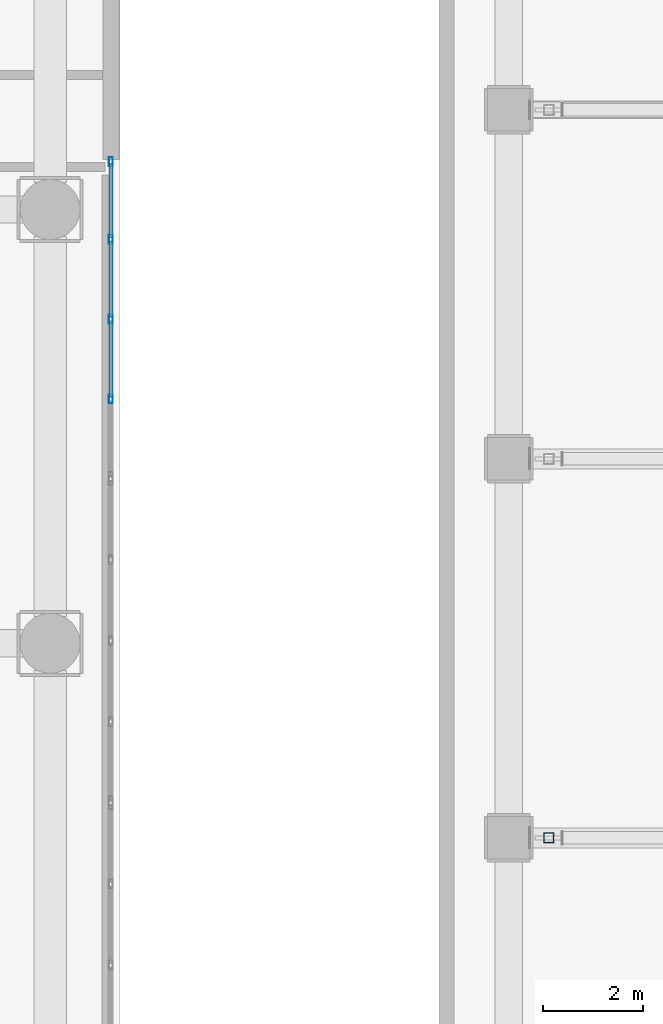
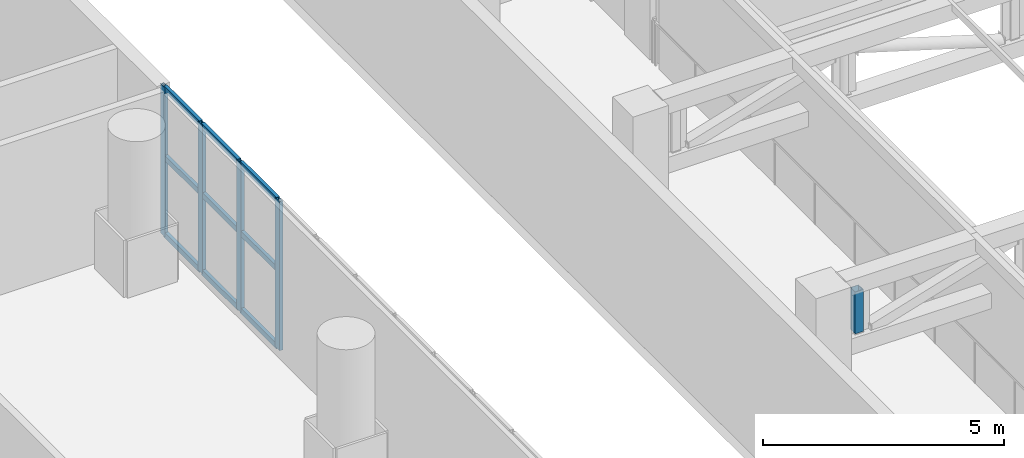
# One storey, part 6 of 25: 14 members, 1 element without a shape of its own.
"""IFC4 building model written with IfcOpenShell, lengths in metres."""

from ifc_helpers import new_model, si_unit, direction, frame, origin, origin_2d, place, context, subcontext, project, spatial, hollow_rectangle, extrude, material, layer, layer_set, material_profile, profile_set, type_object, element, aggregate, save


model = new_model("IFC4")

# Units and contexts
model_context = context("Model", 3, precision=1e-05, world=origin(), true_north=direction((0.0, 1.0)))
body_context = subcontext(model_context, "Body", "Model", "MODEL_VIEW")
ifc_project = project(units=[si_unit("LENGTHUNIT", "METRE"), si_unit("AREAUNIT", "SQUARE_METRE"), si_unit("VOLUMEUNIT", "CUBIC_METRE"), si_unit("PLANEANGLEUNIT", "RADIAN"), si_unit("MASSUNIT", "GRAM", prefix="KILO")], contexts=[model_context])

# Site, building, storey
site_placement = place(None, origin())
site = spatial("IfcSite", under=ifc_project, at=site_placement, CompositionType="ELEMENT")
building_placement = place(site_placement, origin())
building = spatial("IfcBuilding", under=site, at=building_placement, Name="Solanera Arch Residences", CompositionType="ELEMENT")
storey_placement = place(building_placement, frame((0.0, 0.0, 17.800048828125)))
storey = spatial("IfcBuildingStorey", under=building, at=storey_placement, Name="L04", CompositionType="ELEMENT", Elevation=17.800048828125)

# Curtain wall, members
ifc_material_1 = material(Name="Anodised Aluminium Alloy 6063-T6", Category="aluminium")
ifc_layer = layer(ifc_material_1, 0.179931640625)
ifc_layer_set = layer_set([ifc_layer], Name="Anodised Aluminium Alloy 6063-T6")
curtain_wall_type = type_object("IfcCurtainWallType", Name="CW-4 Podium Conservatory Curtain Wall", PredefinedType="USERDEFINED", material=ifc_layer_set)
curtain_wall_placement = place(storey_placement, origin())
curtain_wall = element("IfcCurtainWall", 1, at=curtain_wall_placement, inside=storey, type_object=curtain_wall_type, Name="L04 Podium Conservatory Curtain Wall 1", ObjectType="CURTAIN_WALL", PredefinedType="USERDEFINED")
ifc_material_2 = material(Name="Anodised Aluminium Alloy 6063-T6", Category="aluminium")
ifc_material_profile_1 = material_profile(ifc_material_2, hollow_rectangle(XDim=0.080078125, YDim=0.179931640625, WallThickness=0.00390625, at=origin_2d()))
ifc_profile_set_1 = profile_set([ifc_material_profile_1], Name="Anodised Aluminium Alloy 6063-T6")
member_type_1 = type_object("IfcMemberType", Name="Curtain Wall Mullion ALU-MUL-80X180", PredefinedType="MULLION", material=ifc_profile_set_1)
member_1_placement = place(storey_placement, frame((47.820068359375, 40.360107421875, 0.0), z_axis=(0.0, 0.0, 1.0), x_axis=(1.0, 0.0, 0.0)))
member_1 = element("IfcMember", 2, at=member_1_placement, type_object=member_type_1, Name="CW-4 mullion 1", PredefinedType="MULLION", context=body_context, shape_type="SweptSolid", body=[
    extrude(hollow_rectangle(XDim=0.080078125, YDim=0.179931640625, WallThickness=0.00390625, at=origin_2d()), origin(), (0.0, 0.0, 1.0), 3.780029296875),
])
member_2_placement = place(storey_placement, frame((47.820068359375, 38.800048828125, 0.0), z_axis=(0.0, 0.0, 1.0), x_axis=(1.0, 0.0, 0.0)))
member_2 = element("IfcMember", 3, at=member_2_placement, type_object=member_type_1, Name="CW-4 mullion 2", PredefinedType="MULLION", context=body_context, shape_type="SweptSolid", body=[
    extrude(hollow_rectangle(XDim=0.080078125, YDim=0.179931640625, WallThickness=0.00390625, at=origin_2d()), origin(), (0.0, 0.0, 1.0), 3.780029296875),
])
member_3_placement = place(storey_placement, frame((47.820068359375, 37.199951171875, 0.0), z_axis=(0.0, 0.0, 1.0), x_axis=(1.0, 0.0, 0.0)))
member_3 = element("IfcMember", 4, at=member_3_placement, type_object=member_type_1, Name="CW-4 mullion 3", PredefinedType="MULLION", context=body_context, shape_type="SweptSolid", body=[
    extrude(hollow_rectangle(XDim=0.080078125, YDim=0.179931640625, WallThickness=0.00390625, at=origin_2d()), origin(), (0.0, 0.0, 1.0), 3.780029296875),
])
member_4_placement = place(storey_placement, frame((47.820068359375, 35.60009765625, 0.0), z_axis=(0.0, 0.0, 1.0), x_axis=(1.0, 0.0, 0.0)))
member_4 = element("IfcMember", 5, at=member_4_placement, type_object=member_type_1, Name="CW-4 mullion 4", PredefinedType="MULLION", context=body_context, shape_type="SweptSolid", body=[
    extrude(hollow_rectangle(XDim=0.080078125, YDim=0.179931640625, WallThickness=0.00390625, at=origin_2d()), origin(), (0.0, 0.0, 1.0), 3.780029296875),
])
ifc_material_3 = material(Name="Anodised Aluminium Alloy 6063-T6", Category="aluminium")
ifc_material_profile_2 = material_profile(ifc_material_3, hollow_rectangle(XDim=0.080078125, YDim=0.139892578125, WallThickness=0.00390625, at=origin_2d()))
ifc_profile_set_2 = profile_set([ifc_material_profile_2], Name="Anodised Aluminium Alloy 6063-T6")
member_type_2 = type_object("IfcMemberType", Name="Curtain Wall Transom ALU-TRN-80X140", PredefinedType="USERDEFINED", material=ifc_profile_set_2)
member_5_placement = place(storey_placement, frame((47.820068359375, 40.320068359375, 0.0400390625), z_axis=(0.0, -1.0, 0.0), x_axis=(1.0, 0.0, 0.0)))
member_5 = element("IfcMember", 6, at=member_5_placement, type_object=member_type_2, Name="CW-4 transom 1.1", ObjectType="TRANSOM", PredefinedType="USERDEFINED", context=body_context, shape_type="SweptSolid", body=[
    extrude(hollow_rectangle(XDim=0.080078125, YDim=0.139892578125, WallThickness=0.00390625, at=origin_2d()), origin(), (0.0, 0.0, 1.0), 1.47998046875),
])
member_6_placement = place(storey_placement, frame((47.820068359375, 40.320068359375, 2.0), z_axis=(0.0, -1.0, 0.0), x_axis=(1.0, 0.0, 0.0)))
member_6 = element("IfcMember", 7, at=member_6_placement, type_object=member_type_2, Name="CW-4 transom 1.2", ObjectType="TRANSOM", PredefinedType="USERDEFINED", context=body_context, shape_type="SweptSolid", body=[
    extrude(hollow_rectangle(XDim=0.080078125, YDim=0.139892578125, WallThickness=0.00390625, at=origin_2d()), origin(), (0.0, 0.0, 1.0), 1.47998046875),
])
member_7_placement = place(storey_placement, frame((47.820068359375, 40.320068359375, 3.739990234375), z_axis=(0.0, -1.0, 0.0), x_axis=(1.0, 0.0, 0.0)))
member_7 = element("IfcMember", 8, at=member_7_placement, type_object=member_type_2, Name="CW-4 transom 1.3", ObjectType="TRANSOM", PredefinedType="USERDEFINED", context=body_context, shape_type="SweptSolid", body=[
    extrude(hollow_rectangle(XDim=0.080078125, YDim=0.139892578125, WallThickness=0.00390625, at=origin_2d()), origin(), (0.0, 0.0, 1.0), 1.47998046875),
])
member_8_placement = place(storey_placement, frame((47.820068359375, 38.760009765625, 0.0400390625), z_axis=(0.0, -1.0, 0.0), x_axis=(1.0, 0.0, 0.0)))
member_8 = element("IfcMember", 9, at=member_8_placement, type_object=member_type_2, Name="CW-4 transom 2.1", ObjectType="TRANSOM", PredefinedType="USERDEFINED", context=body_context, shape_type="SweptSolid", body=[
    extrude(hollow_rectangle(XDim=0.080078125, YDim=0.139892578125, WallThickness=0.00390625, at=origin_2d()), origin(), (0.0, 0.0, 1.0), 1.52001953125),
])
member_9_placement = place(storey_placement, frame((47.820068359375, 38.760009765625, 2.0), z_axis=(0.0, -1.0, 0.0), x_axis=(1.0, 0.0, 0.0)))
member_9 = element("IfcMember", 10, at=member_9_placement, type_object=member_type_2, Name="CW-4 transom 2.2", ObjectType="TRANSOM", PredefinedType="USERDEFINED", context=body_context, shape_type="SweptSolid", body=[
    extrude(hollow_rectangle(XDim=0.080078125, YDim=0.139892578125, WallThickness=0.00390625, at=origin_2d()), origin(), (0.0, 0.0, 1.0), 1.52001953125),
])
member_10_placement = place(storey_placement, frame((47.820068359375, 38.760009765625, 3.739990234375), z_axis=(0.0, -1.0, 0.0), x_axis=(1.0, 0.0, 0.0)))
member_10 = element("IfcMember", 11, at=member_10_placement, type_object=member_type_2, Name="CW-4 transom 2.3", ObjectType="TRANSOM", PredefinedType="USERDEFINED", context=body_context, shape_type="SweptSolid", body=[
    extrude(hollow_rectangle(XDim=0.080078125, YDim=0.139892578125, WallThickness=0.00390625, at=origin_2d()), origin(), (0.0, 0.0, 1.0), 1.52001953125),
])
member_11_placement = place(storey_placement, frame((47.820068359375, 37.159912109375, 0.0400390625), z_axis=(0.0, -1.0, 0.0), x_axis=(1.0, 0.0, 0.0)))
member_11 = element("IfcMember", 12, at=member_11_placement, type_object=member_type_2, Name="CW-4 transom 3.1", ObjectType="TRANSOM", PredefinedType="USERDEFINED", context=body_context, shape_type="SweptSolid", body=[
    extrude(hollow_rectangle(XDim=0.080078125, YDim=0.139892578125, WallThickness=0.00390625, at=origin_2d()), origin(), (0.0, 0.0, 1.0), 1.52001953125),
])
member_12_placement = place(storey_placement, frame((47.820068359375, 37.159912109375, 2.0), z_axis=(0.0, -1.0, 0.0), x_axis=(1.0, 0.0, 0.0)))
member_12 = element("IfcMember", 13, at=member_12_placement, type_object=member_type_2, Name="CW-4 transom 3.2", ObjectType="TRANSOM", PredefinedType="USERDEFINED", context=body_context, shape_type="SweptSolid", body=[
    extrude(hollow_rectangle(XDim=0.080078125, YDim=0.139892578125, WallThickness=0.00390625, at=origin_2d()), origin(), (0.0, 0.0, 1.0), 1.52001953125),
])
member_13_placement = place(storey_placement, frame((47.820068359375, 37.159912109375, 3.739990234375), z_axis=(0.0, -1.0, 0.0), x_axis=(1.0, 0.0, 0.0)))
member_13 = element("IfcMember", 14, at=member_13_placement, type_object=member_type_2, Name="CW-4 transom 3.3", ObjectType="TRANSOM", PredefinedType="USERDEFINED", context=body_context, shape_type="SweptSolid", body=[
    extrude(hollow_rectangle(XDim=0.080078125, YDim=0.139892578125, WallThickness=0.00390625, at=origin_2d()), origin(), (0.0, 0.0, 1.0), 1.52001953125),
])
aggregate(curtain_wall, [member_1, member_2, member_3, member_4, member_5, member_6, member_7, member_8, member_9, member_10, member_11, member_12, member_13])

# Member
ifc_material_4 = material(Name="Steel S355 (ASTM A992 / A572 Grade 50)", Category="steel")
ifc_material_profile_3 = material_profile(ifc_material_4, hollow_rectangle(XDim=0.199951171875, YDim=0.199951171875, WallThickness=0.010009765625, at=origin_2d()))
ifc_profile_set_3 = profile_set([ifc_material_profile_3], Name="Steel S355 (ASTM A992 / A572 Grade 50)")
member_type_3 = type_object("IfcMemberType", Name="Truss Post HSS200X200X10", PredefinedType="STRUT", material=ifc_profile_set_3)
member_14_placement = place(storey_placement, frame((56.60009765625, 26.800048828125, 2.719970703125), z_axis=(0.0, 0.0, 1.0), x_axis=(1.0, 0.0, 0.0)))
element("IfcMember", 15, at=member_14_placement, inside=storey, type_object=member_type_3, Name="Sports Hall Roof Truss 2 Vertical Post 0", PredefinedType="STRUT", context=body_context, shape_type="SweptSolid", body=[
    extrude(hollow_rectangle(XDim=0.199951171875, YDim=0.199951171875, WallThickness=0.010009765625, at=origin_2d()), origin(), (0.0, 0.0, 1.0), 1.06005859375),
])

save(model, "model.ifc")
